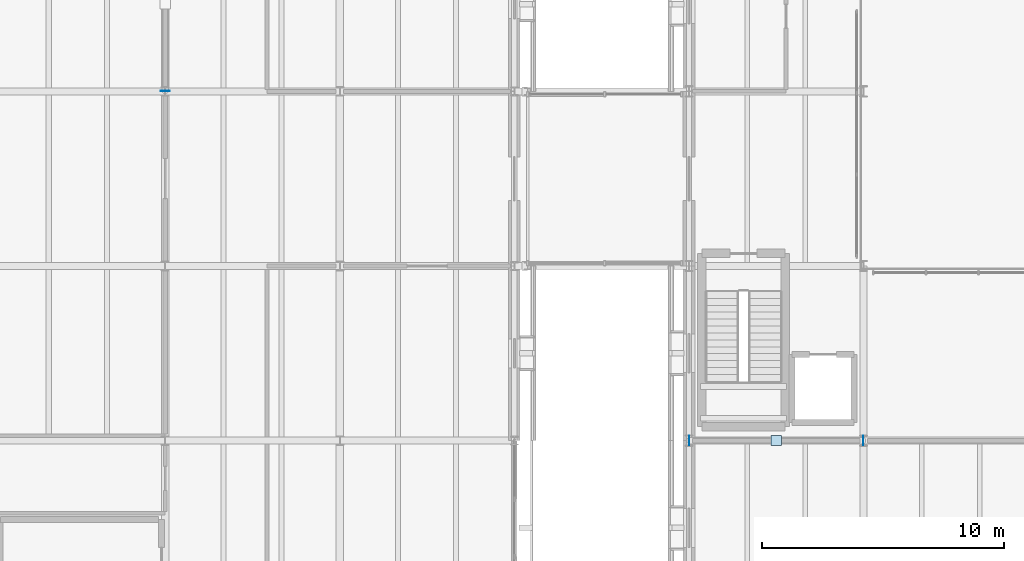
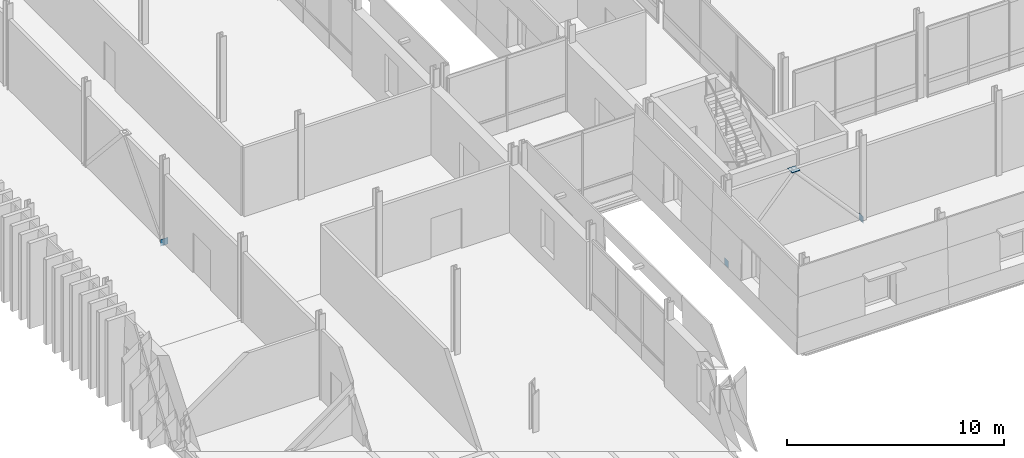
# One storey, part 69 of 121: 4 plates.
"""IFC4 building model written with IfcOpenShell, lengths in metres."""

from ifc_helpers import new_model, si_unit, direction, frame, origin, origin_2d, place, context, subcontext, project, spatial, rectangle, extrude, material, layer, layer_set, type_object, element, save


model = new_model("IFC4")

# Units and contexts
model_context = context("Model", 3, precision=1e-05, world=origin(), true_north=direction((0.0, 1.0)))
body_context = subcontext(model_context, "Body", "Model", "MODEL_VIEW")
ifc_project = project(units=[si_unit("LENGTHUNIT", "METRE"), si_unit("AREAUNIT", "SQUARE_METRE"), si_unit("VOLUMEUNIT", "CUBIC_METRE"), si_unit("PLANEANGLEUNIT", "RADIAN"), si_unit("MASSUNIT", "GRAM", prefix="KILO")], contexts=[model_context])

# Site, building, storey
site_placement = place(None, origin())
site = spatial("IfcSite", under=ifc_project, at=site_placement, CompositionType="ELEMENT")
building_placement = place(site_placement, origin())
building = spatial("IfcBuilding", under=site, at=building_placement, Name="Narikvali Park Central Library", CompositionType="ELEMENT")
storey_placement = place(building_placement, frame((0.0, 0.0, 5.39990234375)))
storey = spatial("IfcBuildingStorey", under=building, at=storey_placement, Name="L01", CompositionType="ELEMENT", Elevation=5.39990234375)

# Plates
ifc_material = material(Name="Steel S355", Category="steel")
ifc_layer_1 = layer(ifc_material, 0.013916015625, Name="Steel S355")
ifc_layer_set_1 = layer_set([ifc_layer_1], Name="Steel S355")
plate_type_1 = type_object("IfcPlateType", Name="Steel Hollow End Cap Plate 14", PredefinedType="SHEET", material=ifc_layer_set_1)
plate_1_placement = place(storey_placement, frame((7.199951171875, 72.01220703125, -0.177734375), z_axis=(0.0, 0.0, 1.0), x_axis=(-1.0, 0.0, 0.0)))
element("IfcPlate", 1, at=plate_1_placement, inside=storey, type_object=plate_type_1, Name="Hollow Section Steel End Cap BR-ECAP-1-L01-A0", PredefinedType="SHEET", context=body_context, shape_type="SweptSolid", body=[
    extrude(rectangle(XDim=0.3798828125, YDim=0.013916015625, at=origin_2d()), origin(), (0.0, 0.0, 1.0), 0.3798828125),
])
for number, where, z_axis, x_axis, name in (
    (2, (28.812255859375, 57.60009765625, -0.177734375), (0.0, 0.0, 1.0), (-1.0, 0.0, 0.0), "Hollow Section Steel End Cap BR-ECAP-3-L01-A0"),
    (3, (35.98779296875, 57.60009765625, -0.177734375), (0.0, 0.0, 1.0), (1.0, 0.0, 0.0), "Hollow Section Steel End Cap BR-ECAP-3-L01-B0"),
):
    element("IfcPlate", number, at=place(storey_placement, frame(where, z_axis=z_axis, x_axis=x_axis)), inside=storey, type_object=plate_type_1, Name=name, PredefinedType="SHEET", context=body_context, shape_type="SweptSolid", body=[
        extrude(rectangle(XDim=0.013916015625, YDim=0.3798828125, at=origin_2d()), origin(), (0.0, 0.0, 1.0), 0.3798828125),
    ])
ifc_layer_2 = layer(ifc_material, 0.0380859375, Name="Steel S355")
ifc_layer_set_2 = layer_set([ifc_layer_2], Name="Steel S355")
plate_type_2 = type_object("IfcPlateType", Name="Truss Splice Gusset Plate 38", PredefinedType="SHEET", material=ifc_layer_set_2)
plate_2_placement = place(storey_placement, frame((32.39990234375, 57.60009765625, 3.98095703125), z_axis=(0.0, 0.0, 1.0), x_axis=(1.0, 0.0, 0.0)))
element("IfcPlate", 4, at=plate_2_placement, inside=storey, type_object=plate_type_2, Name="V4 L01 Chevron Apex Gusset Cap Plate", PredefinedType="SHEET", context=body_context, shape_type="SweptSolid", body=[
    extrude(rectangle(XDim=0.419921875, YDim=0.419921875, at=origin_2d()), origin(), (0.0, 0.0, 1.0), 0.0380859375),
])

save(model, "model.ifc")
